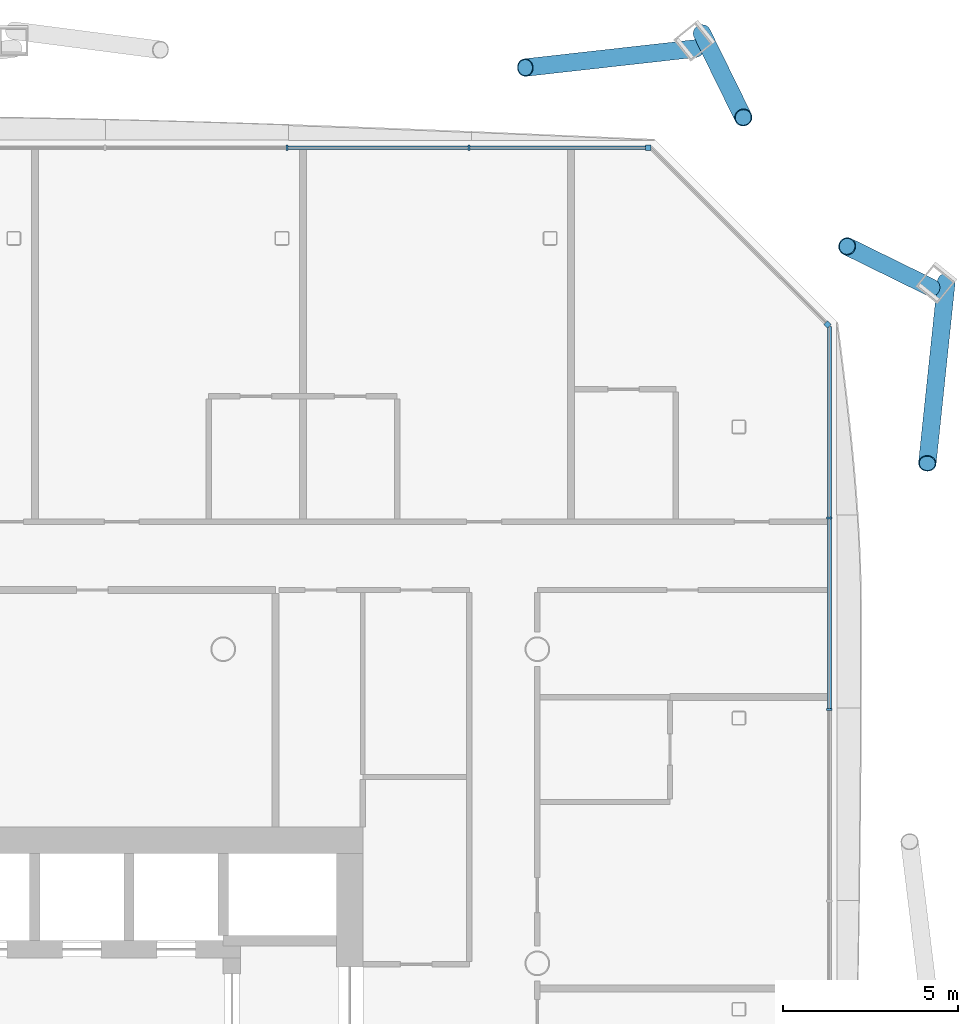
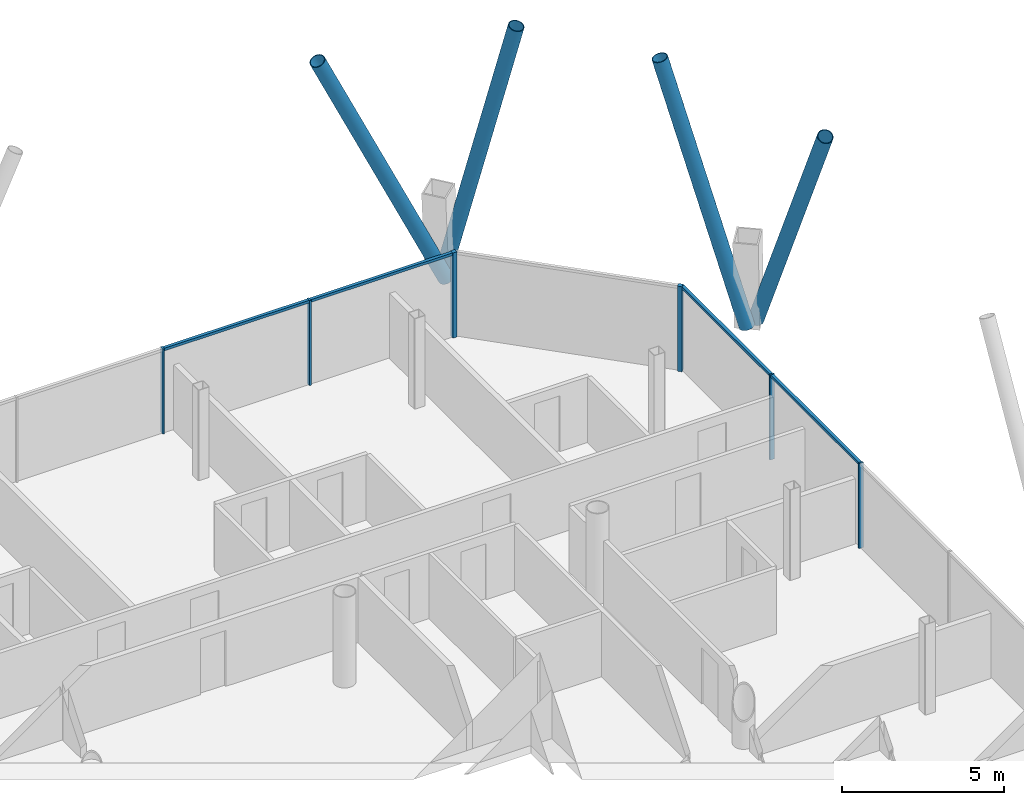
# One storey, part 11 of 22: 14 members, 3 elements without a shape of their own.
"""IFC4 building model written with IfcOpenShell, lengths in metres."""

from ifc_helpers import new_model, si_unit, direction, frame, origin, origin_2d, place, context, subcontext, project, spatial, rectangle, hollow_circle, extrude, material, material_profile, profile_set, type_object, element, aggregate, save


model = new_model("IFC4")

# Units and contexts
model_context = context("Model", 3, precision=1e-05, world=origin(), true_north=direction((0.0, 1.0)))
body_context = subcontext(model_context, "Body", "Model", "MODEL_VIEW")
ifc_project = project(units=[si_unit("LENGTHUNIT", "METRE"), si_unit("AREAUNIT", "SQUARE_METRE"), si_unit("VOLUMEUNIT", "CUBIC_METRE"), si_unit("PLANEANGLEUNIT", "RADIAN"), si_unit("MASSUNIT", "GRAM", prefix="KILO")], contexts=[model_context])

# Site, building, storey
site_placement = place(None, origin())
site = spatial("IfcSite", under=ifc_project, at=site_placement, CompositionType="ELEMENT")
building_placement = place(site_placement, origin())
building = spatial("IfcBuilding", under=site, at=building_placement, Name="Tskaro Facet Tower", CompositionType="ELEMENT")
storey_placement = place(building_placement, frame((0.0, 0.0, 121.5)))
storey = spatial("IfcBuildingStorey", under=building, at=storey_placement, Name="L28", CompositionType="ELEMENT", Elevation=121.5)

# Members
ifc_material_1 = material(Name="Steel S355J2H", Category="steel")
ifc_material_profile_1 = material_profile(ifc_material_1, hollow_circle(Radius=0.25390625, WallThickness=0.02490234375, at=origin_2d()), Name="CHS 508x25")
ifc_profile_set_1 = profile_set([ifc_material_profile_1], Name="Steel S355J2H")
member_type_1 = type_object("IfcMemberType", Name="CHS 508x25 brace", PredefinedType="BRACE", material=ifc_profile_set_1)
member_1_placement = place(storey_placement, frame((29.720947265625, 19.5380859375, 0.0), z_axis=(-0.047749870563, -0.454613680727, 0.889407865469), x_axis=(0.994529159567, -0.104459325915, 0.0)))
element("IfcMember", 1, at=member_1_placement, inside=storey, type_object=member_type_1, Name="CHS 508x25 XB05B/3", PredefinedType="BRACE", context=body_context, shape_type="SweptSolid", body=[
    extrude(hollow_circle(Radius=0.25390625, WallThickness=0.02490234375, at=origin_2d()), origin(), (0.0, 0.0, 1.0), 11.46826171875),
])
for number, where, z_axis, x_axis, name in (
    (2, (29.287353515625, 19.3583984375, 0.0), (-0.228657192484, 0.11230334021, 0.967007677375), (-0.440842240367, -0.897584602758, 0.0), "CHS 508x25 XB06A/3"),
    (3, (22.717529296875, 26.646484375, 0.0), (0.11230334021, -0.228657192484, 0.967007677375), (0.897584602758, 0.440842240367, 0.0), "CHS 508x25 XB06B/3"),
):
    element("IfcMember", number, at=place(storey_placement, frame(where, z_axis=z_axis, x_axis=x_axis)), inside=storey, type_object=member_type_1, Name=name, PredefinedType="BRACE", context=body_context, shape_type="SweptSolid", body=[
        extrude(hollow_circle(Radius=0.25390625, WallThickness=0.02490234375, at=origin_2d()), origin(), (0.0, 0.0, 1.0), 10.5478515625),
    ])
member_2_placement = place(storey_placement, frame((22.5380859375, 26.212890625, 0.0), z_axis=(-0.431402212633, -0.048364830456, 0.900862350257), x_axis=(0.111412783806, -0.993774215607, 0.0)))
element("IfcMember", 4, at=member_2_placement, inside=storey, type_object=member_type_1, Name="CHS 508x25 XB07A/3", PredefinedType="BRACE", context=body_context, shape_type="SweptSolid", body=[
    extrude(hollow_circle(Radius=0.25390625, WallThickness=0.02490234375, at=origin_2d()), origin(), (0.0, 0.0, 1.0), 11.322509765625),
])

# Curtain wall, member
ifc_material_2 = material(Name="Bronze anodised aluminium 6063-T6", Category="aluminium")
curtain_wall_type = type_object("IfcCurtainWallType", Name="Bronze hotel curtain wall (FW2)", PredefinedType="NOTDEFINED", material=ifc_material_2)
curtain_wall_1_placement = place(storey_placement, origin())
curtain_wall_1 = element("IfcCurtainWall", 5, at=curtain_wall_1_placement, inside=storey, type_object=curtain_wall_type, Name="FW2 north-east facet L28", PredefinedType="NOTDEFINED")
ifc_material_profile_2 = material_profile(ifc_material_2, rectangle(XDim=0.14990234375, YDim=0.14990234375, at=origin_2d()), Name="Corner post 150x150")
ifc_profile_set_2 = profile_set([ifc_material_profile_2], Name="Bronze anodised aluminium 6063-T6")
member_type_2 = type_object("IfcMemberType", Name="FW2 bronze corner post 150x150", PredefinedType="MULLION", material=ifc_profile_set_2)
member_3_placement = place(storey_placement, frame((26.31396484375, 18.30615234375, 0.0), z_axis=(0.0, 0.0, 1.0), x_axis=(-0.707106781187, 0.707106781187, 0.0)))
member_3 = element("IfcMember", 6, at=member_3_placement, type_object=member_type_2, Name="FW2 north-east corner post", PredefinedType="MULLION", context=body_context, shape_type="SweptSolid", body=[
    extrude(rectangle(XDim=0.14990234375, YDim=0.14990234375, at=origin_2d()), origin(), (0.0, 0.0, 1.0), 3.199951171875),
])
aggregate(curtain_wall_1, [member_3])

curtain_wall_2_placement = place(storey_placement, origin())
curtain_wall_2 = element("IfcCurtainWall", 7, at=curtain_wall_2_placement, inside=storey, type_object=curtain_wall_type, Name="FW2 north facet L28", PredefinedType="NOTDEFINED")
member_4_placement = place(storey_placement, frame((21.177978515625, 23.366943359375, 0.0), z_axis=(0.0, 0.0, 1.0), x_axis=(-1.0, 0.0, 0.0)))
member_4 = element("IfcMember", 8, at=member_4_placement, type_object=member_type_2, Name="FW2 north corner post", PredefinedType="MULLION", context=body_context, shape_type="SweptSolid", body=[
    extrude(rectangle(XDim=0.14990234375, YDim=0.14990234375, at=origin_2d()), origin(), (0.0, 0.0, 1.0), 3.199951171875),
])

# Curtain wall, members
curtain_wall_3_placement = place(storey_placement, origin())
curtain_wall_3 = element("IfcCurtainWall", 9, at=curtain_wall_3_placement, inside=storey, type_object=curtain_wall_type, Name="FW2 east facet L28", PredefinedType="NOTDEFINED")
ifc_material_profile_3 = material_profile(ifc_material_2, rectangle(XDim=0.06005859375, YDim=0.14990234375, at=origin_2d()), Name="Mullion 60x150")
ifc_profile_set_3 = profile_set([ifc_material_profile_3], Name="Bronze anodised aluminium 6063-T6")
member_type_3 = type_object("IfcMemberType", Name="FW2 bronze mullion 60x150", PredefinedType="MULLION", material=ifc_profile_set_3)
member_5_placement = place(storey_placement, frame((26.366943359375, 7.276123046875, 0.0), z_axis=(0.0, 0.0, 1.0), x_axis=(0.0, 1.0, 0.0)))
member_5 = element("IfcMember", 10, at=member_5_placement, type_object=member_type_3, Name="FW2 east mullion 5", PredefinedType="MULLION", context=body_context, shape_type="SweptSolid", body=[
    extrude(rectangle(XDim=0.06005859375, YDim=0.14990234375, at=origin_2d()), origin(), (0.0, 0.0, 1.0), 3.199951171875),
])
member_6_placement = place(storey_placement, frame((26.366943359375, 12.7646484375, 0.0), z_axis=(0.0, 0.0, 1.0), x_axis=(0.0, 1.0, 0.0)))
member_6 = element("IfcMember", 11, at=member_6_placement, type_object=member_type_3, Name="FW2 east mullion 6", PredefinedType="MULLION", context=body_context, shape_type="SweptSolid", body=[
    extrude(rectangle(XDim=0.06005859375, YDim=0.14990234375, at=origin_2d()), origin(), (0.0, 0.0, 1.0), 3.199951171875),
])

# Member
member_7_placement = place(storey_placement, frame((16.037841796875, 23.366943359375, 0.0), z_axis=(0.0, 0.0, 1.0), x_axis=(-1.0, 0.0, 0.0)))
member_7 = element("IfcMember", 12, at=member_7_placement, type_object=member_type_3, Name="FW2 north mullion 1", PredefinedType="MULLION", context=body_context, shape_type="SweptSolid", body=[
    extrude(rectangle(XDim=0.06005859375, YDim=0.14990234375, at=origin_2d()), origin(), (0.0, 0.0, 1.0), 3.199951171875),
])

member_8_placement = place(storey_placement, frame((10.82275390625, 23.366943359375, 0.0), z_axis=(0.0, 0.0, 1.0), x_axis=(-1.0, 0.0, 0.0)))
member_8 = element("IfcMember", 13, at=member_8_placement, type_object=member_type_3, Name="FW2 north mullion 2", PredefinedType="MULLION", context=body_context, shape_type="SweptSolid", body=[
    extrude(rectangle(XDim=0.06005859375, YDim=0.14990234375, at=origin_2d()), origin(), (0.0, 0.0, 1.0), 3.199951171875),
])

ifc_material_profile_4 = material_profile(ifc_material_2, rectangle(XDim=0.110107421875, YDim=0.10009765625, at=origin_2d()), Name="Transom 110x100")
ifc_profile_set_4 = profile_set([ifc_material_profile_4], Name="Bronze anodised aluminium 6063-T6")
member_type_4 = type_object("IfcMemberType", Name="FW2 bronze transom 110x100", PredefinedType="USERDEFINED", material=ifc_profile_set_4)
member_9_placement = place(storey_placement, frame((26.366943359375, 7.30615234375, 3.14990234375), z_axis=(0.0, 1.0, 0.0), x_axis=(-1.0, 0.0, 0.0)))
member_9 = element("IfcMember", 14, at=member_9_placement, type_object=member_type_4, Name="FW2 east transom 6.1", ObjectType="TRANSOM", PredefinedType="USERDEFINED", context=body_context, shape_type="SweptSolid", body=[
    extrude(rectangle(XDim=0.110107421875, YDim=0.10009765625, at=origin_2d()), origin(), (0.0, 0.0, 1.0), 5.428466796875),
])

member_10_placement = place(storey_placement, frame((26.366943359375, 12.794677734375, 3.14990234375), z_axis=(0.0, 1.0, 0.0), x_axis=(-1.0, 0.0, 0.0)))
member_10 = element("IfcMember", 15, at=member_10_placement, type_object=member_type_4, Name="FW2 east transom 7.1", ObjectType="TRANSOM", PredefinedType="USERDEFINED", context=body_context, shape_type="SweptSolid", body=[
    extrude(rectangle(XDim=0.110107421875, YDim=0.10009765625, at=origin_2d()), origin(), (0.0, 0.0, 1.0), 5.458251953125),
])

aggregate(curtain_wall_3, [member_5, member_6, member_9, member_10])

member_11_placement = place(storey_placement, frame((21.10302734375, 23.366943359375, 3.14990234375), z_axis=(-1.0, 0.0, 0.0), x_axis=(0.0, -1.0, 0.0)))
member_11 = element("IfcMember", 16, at=member_11_placement, type_object=member_type_4, Name="FW2 north transom 1.1", ObjectType="TRANSOM", PredefinedType="USERDEFINED", context=body_context, shape_type="SweptSolid", body=[
    extrude(rectangle(XDim=0.110107421875, YDim=0.10009765625, at=origin_2d()), origin(), (0.0, 0.0, 1.0), 5.03515625),
])

member_12_placement = place(storey_placement, frame((16.0078125, 23.366943359375, 3.14990234375), z_axis=(-1.0, 0.0, 0.0), x_axis=(0.0, -1.0, 0.0)))
member_12 = element("IfcMember", 17, at=member_12_placement, type_object=member_type_4, Name="FW2 north transom 2.1", ObjectType="TRANSOM", PredefinedType="USERDEFINED", context=body_context, shape_type="SweptSolid", body=[
    extrude(rectangle(XDim=0.110107421875, YDim=0.10009765625, at=origin_2d()), origin(), (0.0, 0.0, 1.0), 5.155029296875),
])

aggregate(curtain_wall_2, [member_4, member_7, member_8, member_11, member_12])

save(model, "model.ifc")
